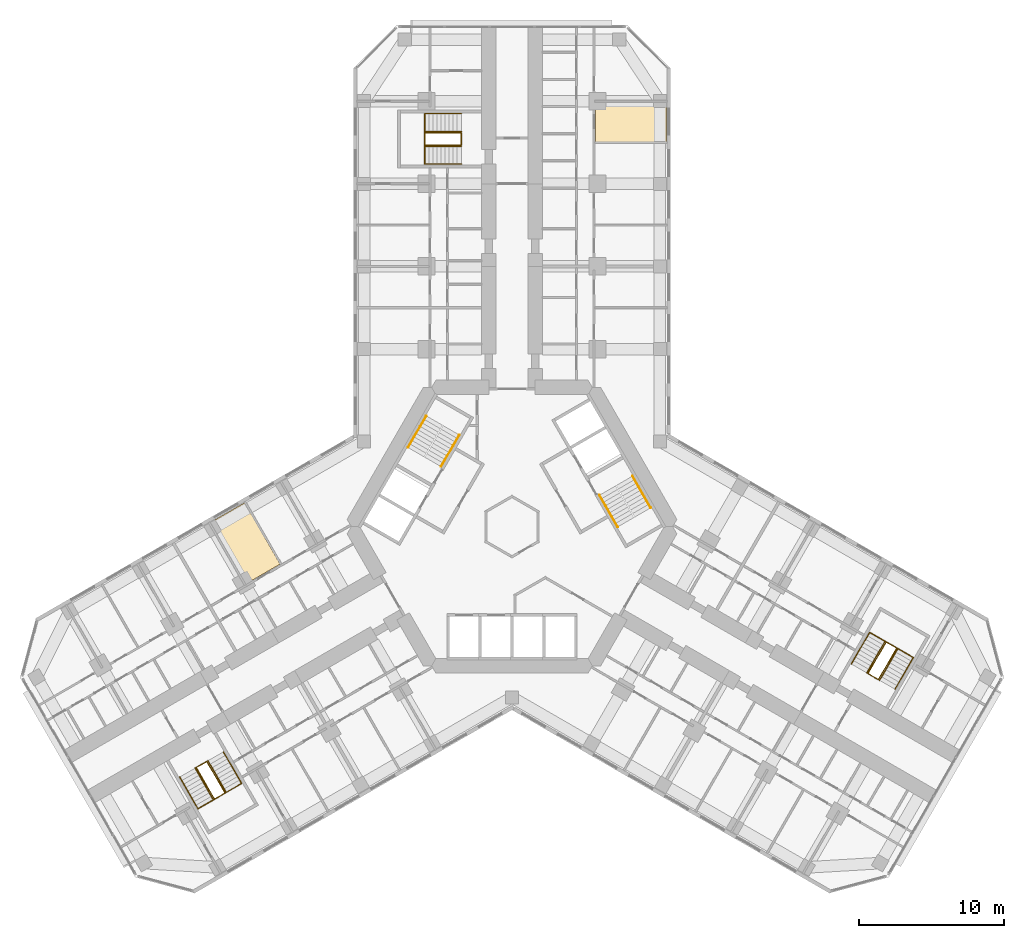
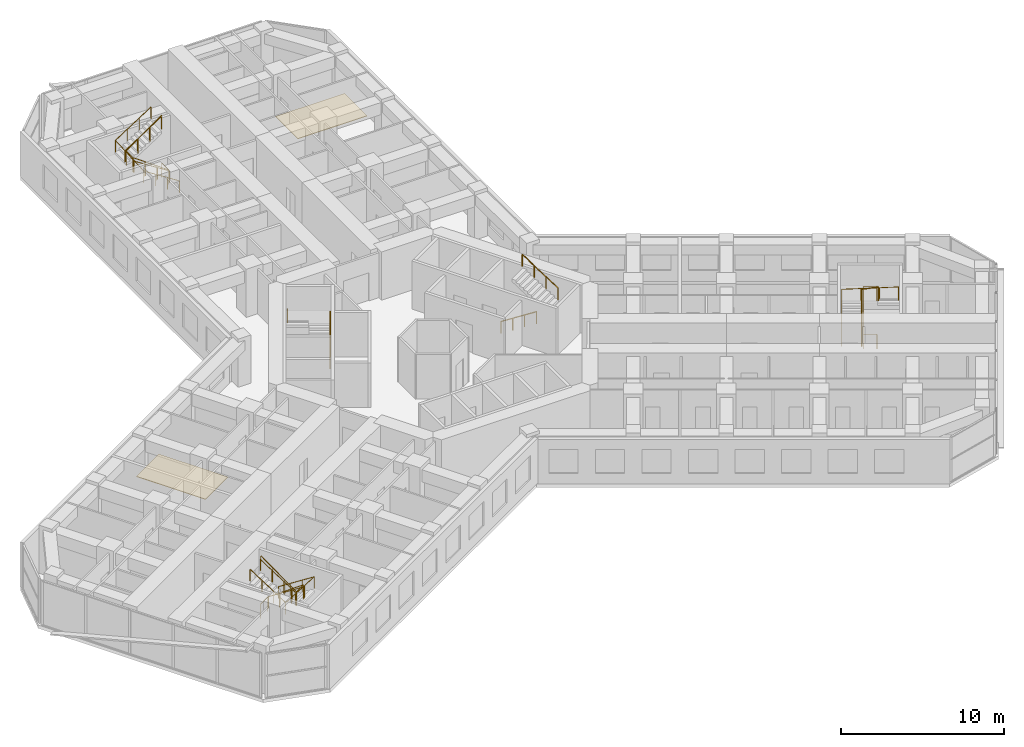
# One storey, part 22 of 22: 13 railings, 2 coverings.
"""IFC4 building model written with IfcOpenShell, lengths in metres."""

from ifc_helpers import new_model, si_unit, direction, frame, origin, origin_2d, place, context, subcontext, project, spatial, polyline, circle, outline, extrude, material, layer, layer_set, type_object, element, save


model = new_model("IFC4")

# Units and contexts
model_context = context("Model", 3, precision=1e-05, world=origin(), true_north=direction((0.0, 1.0)))
body_context = subcontext(model_context, "Body", "Model", "MODEL_VIEW")
ifc_project = project(units=[si_unit("LENGTHUNIT", "METRE"), si_unit("AREAUNIT", "SQUARE_METRE"), si_unit("VOLUMEUNIT", "CUBIC_METRE"), si_unit("PLANEANGLEUNIT", "RADIAN"), si_unit("MASSUNIT", "GRAM", prefix="KILO")], contexts=[model_context])

# Site, building, storey
site_placement = place(None, origin())
site = spatial("IfcSite", under=ifc_project, at=site_placement, CompositionType="ELEMENT")
building_placement = place(site_placement, origin())
building = spatial("IfcBuilding", under=site, at=building_placement, Name="Kosmar Iwan School Tower", CompositionType="ELEMENT")
storey_placement = place(building_placement, frame((0.0, 0.0, 91.60009765625)))
storey = spatial("IfcBuildingStorey", under=building, at=storey_placement, Name="L22", CompositionType="ELEMENT", Elevation=91.60009765625)

# Railings
ifc_material_1 = material(Name="Black steel", Category="steel")
railing_type_1 = type_object("IfcRailingType", Name="Stair handrail 900", PredefinedType="HANDRAIL", material=ifc_material_1)
railing_1_placement = place(storey_placement, frame((-4.89453125, 4.142333984375, 0.179931640625)))
element("IfcRailing", 1, at=railing_1_placement, inside=storey, type_object=railing_type_1, Name="Handrail ST2 flight 1", PredefinedType="HANDRAIL", context=body_context, shape_type="SweptSolid", body=[
    extrude(circle(Radius=0.02392578125, at=origin_2d()), frame((0.0, 0.0, 0.8759765625), z_axis=(0.42060268101, 0.72849590497, 0.54072830624), x_axis=(-0.866022637375, 0.500004791531, 0.0)), (0.0, 0.0, 1.0), 2.99560546875),
    extrude(circle(Radius=0.02099609375, at=origin_2d()), origin(), (0.0, 0.0, 1.0), 0.851806640625),
    extrude(circle(Radius=0.02099609375, at=origin_2d()), frame((0.419921875, 0.7275390625, 0.5400390625)), (0.0, 0.0, 1.0), 0.851806640625),
    extrude(circle(Radius=0.02099609375, at=origin_2d()), frame((0.840087890625, 1.454833984375, 1.079833984375)), (0.0, 0.0, 1.0), 0.851806640625),
    extrude(circle(Radius=0.02099609375, at=origin_2d()), frame((1.260009765625, 2.182373046875, 1.619873046875)), (0.0, 0.0, 1.0), 0.851806640625),
])
railing_2_placement = place(storey_placement, frame((-5.912353515625, 7.6396484375, 1.97998046875)))
element("IfcRailing", 2, at=railing_2_placement, inside=storey, type_object=railing_type_1, Name="Handrail ST2 flight 2", PredefinedType="HANDRAIL", context=body_context, shape_type="SweptSolid", body=[
    extrude(circle(Radius=0.02392578125, at=origin_2d()), frame((0.0, 0.0, 0.8759765625), z_axis=(-0.42060268101, -0.72849590497, 0.54072830624), x_axis=(0.866022637375, -0.500004791531, 0.0)), (0.0, 0.0, 1.0), 2.99560546875),
    extrude(circle(Radius=0.02099609375, at=origin_2d()), origin(), (0.0, 0.0, 1.0), 0.851806640625),
    extrude(circle(Radius=0.02099609375, at=origin_2d()), frame((-0.419921875, -0.7275390625, 0.5400390625)), (0.0, 0.0, 1.0), 0.851806640625),
    extrude(circle(Radius=0.02099609375, at=origin_2d()), frame((-0.840087890625, -1.454833984375, 1.079833984375)), (0.0, 0.0, 1.0), 0.851806640625),
    extrude(circle(Radius=0.02099609375, at=origin_2d()), frame((-1.260009765625, -2.182373046875, 1.619873046875)), (0.0, 0.0, 1.0), 0.851806640625),
])
railing_3_placement = place(storey_placement, frame((6.03466796875, 2.167724609375, 0.179931640625)))
element("IfcRailing", 3, at=railing_3_placement, inside=storey, type_object=railing_type_1, Name="Handrail ST1 flight 1", PredefinedType="HANDRAIL", context=body_context, shape_type="SweptSolid", body=[
    extrude(circle(Radius=0.02392578125, at=origin_2d()), frame((0.0, 0.0, 0.8759765625), z_axis=(0.42060268101, -0.72849590497, 0.54072830624), x_axis=(0.866022637375, 0.500004791531, 0.0)), (0.0, 0.0, 1.0), 2.99560546875),
    extrude(circle(Radius=0.02099609375, at=origin_2d()), origin(), (0.0, 0.0, 1.0), 0.851806640625),
    extrude(circle(Radius=0.02099609375, at=origin_2d()), frame((0.419921875, -0.7275390625, 0.5400390625)), (0.0, 0.0, 1.0), 0.851806640625),
    extrude(circle(Radius=0.02099609375, at=origin_2d()), frame((0.840087890625, -1.454833984375, 1.079833984375)), (0.0, 0.0, 1.0), 0.851806640625),
    extrude(circle(Radius=0.02099609375, at=origin_2d()), frame((1.260009765625, -2.182373046875, 1.619873046875)), (0.0, 0.0, 1.0), 0.851806640625),
])
railing_4_placement = place(storey_placement, frame((9.572265625, 1.30029296875, 1.97998046875)))
element("IfcRailing", 4, at=railing_4_placement, inside=storey, type_object=railing_type_1, Name="Handrail ST1 flight 2", PredefinedType="HANDRAIL", context=body_context, shape_type="SweptSolid", body=[
    extrude(circle(Radius=0.02392578125, at=origin_2d()), frame((0.0, 0.0, 0.8759765625), z_axis=(-0.42060268101, 0.72849590497, 0.54072830624), x_axis=(-0.866022637375, -0.500004791531, 0.0)), (0.0, 0.0, 1.0), 2.99560546875),
    extrude(circle(Radius=0.02099609375, at=origin_2d()), origin(), (0.0, 0.0, 1.0), 0.851806640625),
    extrude(circle(Radius=0.02099609375, at=origin_2d()), frame((-0.419921875, 0.7275390625, 0.5400390625)), (0.0, 0.0, 1.0), 0.851806640625),
    extrude(circle(Radius=0.02099609375, at=origin_2d()), frame((-0.840087890625, 1.454833984375, 1.079833984375)), (0.0, 0.0, 1.0), 0.851806640625),
    extrude(circle(Radius=0.02099609375, at=origin_2d()), frame((-1.260009765625, 2.182373046875, 1.619873046875)), (0.0, 0.0, 1.0), 0.851806640625),
])
railing_5_placement = place(storey_placement, frame((-3.5, 25.010009765625, 0.179931640625)))
element("IfcRailing", 5, at=railing_5_placement, inside=storey, type_object=railing_type_1, Name="Handrail stair WS1 L22 wall side", PredefinedType="HANDRAIL", context=body_context, shape_type="SweptSolid", body=[
    extrude(circle(Radius=0.02392578125, at=origin_2d()), frame((0.0, 0.0, 0.8759765625), z_axis=(-0.841199657755, 0.0, 0.540724639528), x_axis=(0.0, -1.0, 0.0)), (0.0, 0.0, 1.0), 2.995849609375),
    extrude(circle(Radius=0.02392578125, at=origin_2d()), frame((-2.52001953125, 0.0, 2.49560546875), z_axis=(0.0, 0.998662366465, 0.051705684471), x_axis=(-1.0, 0.0, 0.0)), (0.0, 0.0, 1.0), 3.484619140625),
    extrude(circle(Radius=0.02392578125, at=origin_2d()), frame((-2.52001953125, 3.47998046875, 2.67578125), z_axis=(0.841199657755, 0.0, 0.540724639528), x_axis=(0.0, 1.0, 0.0)), (0.0, 0.0, 1.0), 2.995849609375),
    extrude(circle(Radius=0.02099609375, at=origin_2d()), origin(), (0.0, 0.0, 1.0), 0.851806640625),
    extrude(circle(Radius=0.02099609375, at=origin_2d()), frame((-0.840087890625, 0.0, 0.5400390625)), (0.0, 0.0, 1.0), 0.851806640625),
    extrude(circle(Radius=0.02099609375, at=origin_2d()), frame((-1.679931640625, 0.0, 1.079833984375)), (0.0, 0.0, 1.0), 0.851806640625),
    extrude(circle(Radius=0.02099609375, at=origin_2d()), frame((-2.52001953125, 0.0, 1.619873046875)), (0.0, 0.0, 1.0), 0.851806640625),
    extrude(circle(Radius=0.02099609375, at=origin_2d()), frame((-2.52001953125, 1.159912109375, 1.679931640625)), (0.0, 0.0, 1.0), 0.851806640625),
    extrude(circle(Radius=0.02099609375, at=origin_2d()), frame((-2.52001953125, 2.320068359375, 1.739990234375)), (0.0, 0.0, 1.0), 0.851806640625),
    extrude(circle(Radius=0.02099609375, at=origin_2d()), frame((-2.52001953125, 3.47998046875, 1.800048828125)), (0.0, 0.0, 1.0), 0.851806640625),
    extrude(circle(Radius=0.02099609375, at=origin_2d()), frame((-1.679931640625, 3.47998046875, 2.340087890625)), (0.0, 0.0, 1.0), 0.851806640625),
    extrude(circle(Radius=0.02099609375, at=origin_2d()), frame((-0.840087890625, 3.47998046875, 2.8798828125)), (0.0, 0.0, 1.0), 0.851806640625),
    extrude(circle(Radius=0.02099609375, at=origin_2d()), frame((0.0, 3.47998046875, 3.419921875)), (0.0, 0.0, 1.0), 0.851806640625),
])
railing_6_placement = place(storey_placement, frame((-3.5, 26.239990234375, 0.179931640625)))
element("IfcRailing", 6, at=railing_6_placement, inside=storey, type_object=railing_type_1, Name="Handrail stair WS1 L22 well side", PredefinedType="HANDRAIL", context=body_context, shape_type="SweptSolid", body=[
    extrude(circle(Radius=0.02392578125, at=origin_2d()), frame((0.0, 0.0, 0.8759765625), z_axis=(-0.841199657755, 0.0, 0.540724639528), x_axis=(0.0, -1.0, 0.0)), (0.0, 0.0, 1.0), 2.995849609375),
    extrude(circle(Radius=0.02392578125, at=origin_2d()), frame((-2.52001953125, 0.0, 2.49560546875), z_axis=(0.0, 0.98475507176, 0.173946683332), x_axis=(-1.0, 0.0, 0.0)), (0.0, 0.0, 1.0), 1.035888671875),
    extrude(circle(Radius=0.02392578125, at=origin_2d()), frame((-2.52001953125, 1.02001953125, 2.67578125), z_axis=(0.841199657755, 0.0, 0.540724639528), x_axis=(0.0, 1.0, 0.0)), (0.0, 0.0, 1.0), 2.995849609375),
    extrude(circle(Radius=0.02099609375, at=origin_2d()), origin(), (0.0, 0.0, 1.0), 0.851806640625),
    extrude(circle(Radius=0.02099609375, at=origin_2d()), frame((-0.840087890625, 0.0, 0.5400390625)), (0.0, 0.0, 1.0), 0.851806640625),
    extrude(circle(Radius=0.02099609375, at=origin_2d()), frame((-1.679931640625, 0.0, 1.079833984375)), (0.0, 0.0, 1.0), 0.851806640625),
    extrude(circle(Radius=0.02099609375, at=origin_2d()), frame((-2.52001953125, 0.0, 1.619873046875)), (0.0, 0.0, 1.0), 0.851806640625),
    extrude(circle(Radius=0.02099609375, at=origin_2d()), frame((-2.52001953125, 1.02001953125, 1.800048828125)), (0.0, 0.0, 1.0), 0.851806640625),
    extrude(circle(Radius=0.02099609375, at=origin_2d()), frame((-1.679931640625, 1.02001953125, 2.340087890625)), (0.0, 0.0, 1.0), 0.851806640625),
    extrude(circle(Radius=0.02099609375, at=origin_2d()), frame((-0.840087890625, 1.02001953125, 2.8798828125)), (0.0, 0.0, 1.0), 0.851806640625),
    extrude(circle(Radius=0.02099609375, at=origin_2d()), frame((0.0, 1.02001953125, 3.419921875)), (0.0, 0.0, 1.0), 0.851806640625),
])
railing_7_placement = place(storey_placement, frame((-19.9091796875, -15.5361328125, 0.179931640625)))
element("IfcRailing", 7, at=railing_7_placement, inside=storey, type_object=railing_type_1, Name="Handrail stair WS2 L22 wall side", PredefinedType="HANDRAIL", context=body_context, shape_type="SweptSolid", body=[
    extrude(circle(Radius=0.02392578125, at=origin_2d()), frame((0.0, 0.0, 0.8759765625), z_axis=(0.420535598452, -0.728520874915, 0.540746840257), x_axis=(0.866064587494, 0.499932125682, 0.0)), (0.0, 0.0, 1.0), 2.99560546875),
    extrude(circle(Radius=0.02392578125, at=origin_2d()), frame((1.259765625, -2.182373046875, 2.49560546875), z_axis=(-0.864861221286, -0.499341050235, 0.051706706198), x_axis=(0.500009906705, -0.86601968407, 0.0)), (0.0, 0.0, 1.0), 3.484619140625),
    extrude(circle(Radius=0.02392578125, at=origin_2d()), frame((-1.75390625, -3.92236328125, 2.67578125), z_axis=(-0.42060268101, 0.72849590497, 0.54072830624), x_axis=(-0.866022637375, -0.500004791531, 0.0)), (0.0, 0.0, 1.0), 2.99560546875),
    extrude(circle(Radius=0.02099609375, at=origin_2d()), origin(), (0.0, 0.0, 1.0), 0.851806640625),
    extrude(circle(Radius=0.02099609375, at=origin_2d()), frame((0.419921875, -0.7275390625, 0.5400390625)), (0.0, 0.0, 1.0), 0.851806640625),
    extrude(circle(Radius=0.02099609375, at=origin_2d()), frame((0.83984375, -1.454833984375, 1.079833984375)), (0.0, 0.0, 1.0), 0.851806640625),
    extrude(circle(Radius=0.02099609375, at=origin_2d()), frame((1.259765625, -2.182373046875, 1.619873046875)), (0.0, 0.0, 1.0), 0.851806640625),
    extrude(circle(Radius=0.02099609375, at=origin_2d()), frame((0.255126953125, -2.762451171875, 1.679931640625)), (0.0, 0.0, 1.0), 0.851806640625),
    extrude(circle(Radius=0.02099609375, at=origin_2d()), frame((-0.749267578125, -3.34228515625, 1.739990234375)), (0.0, 0.0, 1.0), 0.851806640625),
    extrude(circle(Radius=0.02099609375, at=origin_2d()), frame((-1.75390625, -3.92236328125, 1.800048828125)), (0.0, 0.0, 1.0), 0.851806640625),
    extrude(circle(Radius=0.02099609375, at=origin_2d()), frame((-2.173828125, -3.19482421875, 2.340087890625)), (0.0, 0.0, 1.0), 0.851806640625),
    extrude(circle(Radius=0.02099609375, at=origin_2d()), frame((-2.593994140625, -2.467529296875, 2.8798828125)), (0.0, 0.0, 1.0), 0.851806640625),
    extrude(circle(Radius=0.02099609375, at=origin_2d()), frame((-3.013916015625, -1.739990234375, 3.419921875)), (0.0, 0.0, 1.0), 0.851806640625),
])
railing_8_placement = place(storey_placement, frame((-20.974609375, -16.151123046875, 0.179931640625)))
element("IfcRailing", 8, at=railing_8_placement, inside=storey, type_object=railing_type_1, Name="Handrail stair WS2 L22 well side", PredefinedType="HANDRAIL", context=body_context, shape_type="SweptSolid", body=[
    extrude(circle(Radius=0.02392578125, at=origin_2d()), frame((0.0, 0.0, 0.8759765625), z_axis=(0.42060268101, -0.72849590497, 0.54072830624), x_axis=(0.866022637375, 0.500004791531, 0.0)), (0.0, 0.0, 1.0), 2.99560546875),
    extrude(circle(Radius=0.02392578125, at=origin_2d()), frame((1.260009765625, -2.182373046875, 2.49560546875), z_axis=(-0.852806573049, -0.492402689635, 0.173955569627), x_axis=(0.500026340207, -0.866010195725, 0.0)), (0.0, 0.0, 1.0), 1.03564453125),
    extrude(circle(Radius=0.02392578125, at=origin_2d()), frame((0.376708984375, -2.6923828125, 2.67578125), z_axis=(-0.42060268101, 0.72849590497, 0.54072830624), x_axis=(-0.866022637375, -0.500004791531, 0.0)), (0.0, 0.0, 1.0), 2.99560546875),
    extrude(circle(Radius=0.02099609375, at=origin_2d()), origin(), (0.0, 0.0, 1.0), 0.851806640625),
    extrude(circle(Radius=0.02099609375, at=origin_2d()), frame((0.419921875, -0.7275390625, 0.5400390625)), (0.0, 0.0, 1.0), 0.851806640625),
    extrude(circle(Radius=0.02099609375, at=origin_2d()), frame((0.840087890625, -1.454833984375, 1.079833984375)), (0.0, 0.0, 1.0), 0.851806640625),
    extrude(circle(Radius=0.02099609375, at=origin_2d()), frame((1.260009765625, -2.182373046875, 1.619873046875)), (0.0, 0.0, 1.0), 0.851806640625),
    extrude(circle(Radius=0.02099609375, at=origin_2d()), frame((0.376708984375, -2.6923828125, 1.800048828125)), (0.0, 0.0, 1.0), 0.851806640625),
    extrude(circle(Radius=0.02099609375, at=origin_2d()), frame((-0.043212890625, -1.96484375, 2.340087890625)), (0.0, 0.0, 1.0), 0.851806640625),
    extrude(circle(Radius=0.02099609375, at=origin_2d()), frame((-0.46337890625, -1.237548828125, 2.8798828125)), (0.0, 0.0, 1.0), 0.851806640625),
    extrude(circle(Radius=0.02099609375, at=origin_2d()), frame((-0.88330078125, -0.510009765625, 3.419921875)), (0.0, 0.0, 1.0), 0.851806640625),
])
railing_9_placement = place(storey_placement, frame((23.4091796875, -9.473876953125, 0.179931640625)))
element("IfcRailing", 9, at=railing_9_placement, inside=storey, type_object=railing_type_1, Name="Handrail stair WS3 L22 wall side", PredefinedType="HANDRAIL", context=body_context, shape_type="SweptSolid", body=[
    extrude(circle(Radius=0.02392578125, at=origin_2d()), frame((0.0, 0.0, 0.8759765625), z_axis=(0.42060268101, 0.72849590497, 0.54072830624), x_axis=(-0.866022637375, 0.500004791531, 0.0)), (0.0, 0.0, 1.0), 2.99560546875),
    extrude(circle(Radius=0.02392578125, at=origin_2d()), frame((1.260009765625, 2.182373046875, 2.49560546875), z_axis=(0.864878876685, -0.499310794179, 0.051703573187), x_axis=(0.499979528911, 0.866037222451, 0.0)), (0.0, 0.0, 1.0), 3.48486328125),
    extrude(circle(Radius=0.02392578125, at=origin_2d()), frame((4.27392578125, 0.4423828125, 2.67578125), z_axis=(-0.42060268101, -0.72849590497, 0.54072830624), x_axis=(0.866022637375, -0.500004791531, 0.0)), (0.0, 0.0, 1.0), 2.99560546875),
    extrude(circle(Radius=0.02099609375, at=origin_2d()), origin(), (0.0, 0.0, 1.0), 0.851806640625),
    extrude(circle(Radius=0.02099609375, at=origin_2d()), frame((0.419921875, 0.7275390625, 0.5400390625)), (0.0, 0.0, 1.0), 0.851806640625),
    extrude(circle(Radius=0.02099609375, at=origin_2d()), frame((0.840087890625, 1.454833984375, 1.079833984375)), (0.0, 0.0, 1.0), 0.851806640625),
    extrude(circle(Radius=0.02099609375, at=origin_2d()), frame((1.260009765625, 2.182373046875, 1.619873046875)), (0.0, 0.0, 1.0), 0.851806640625),
    extrude(circle(Radius=0.02099609375, at=origin_2d()), frame((2.2646484375, 1.602294921875, 1.679931640625)), (0.0, 0.0, 1.0), 0.851806640625),
    extrude(circle(Radius=0.02099609375, at=origin_2d()), frame((3.269287109375, 1.0224609375, 1.739990234375)), (0.0, 0.0, 1.0), 0.851806640625),
    extrude(circle(Radius=0.02099609375, at=origin_2d()), frame((4.27392578125, 0.4423828125, 1.800048828125)), (0.0, 0.0, 1.0), 0.851806640625),
    extrude(circle(Radius=0.02099609375, at=origin_2d()), frame((3.85400390625, -0.28515625, 2.340087890625)), (0.0, 0.0, 1.0), 0.851806640625),
    extrude(circle(Radius=0.02099609375, at=origin_2d()), frame((3.433837890625, -1.012451171875, 2.8798828125)), (0.0, 0.0, 1.0), 0.851806640625),
    extrude(circle(Radius=0.02099609375, at=origin_2d()), frame((3.013916015625, -1.739990234375, 3.419921875)), (0.0, 0.0, 1.0), 0.851806640625),
])
railing_10_placement = place(storey_placement, frame((24.474609375, -10.0888671875, 0.179931640625)))
element("IfcRailing", 10, at=railing_10_placement, inside=storey, type_object=railing_type_1, Name="Handrail stair WS3 L22 well side", PredefinedType="HANDRAIL", context=body_context, shape_type="SweptSolid", body=[
    extrude(circle(Radius=0.02392578125, at=origin_2d()), frame((0.0, 0.0, 0.8759765625), z_axis=(0.42060268101, 0.72849590497, 0.54072830624), x_axis=(-0.866022637375, 0.500004791531, 0.0)), (0.0, 0.0, 1.0), 2.99560546875),
    extrude(circle(Radius=0.02392578125, at=origin_2d()), frame((1.260009765625, 2.182373046875, 2.49560546875), z_axis=(0.852806573049, -0.492402689635, 0.173955569627), x_axis=(0.500026340207, 0.866010195725, 0.0)), (0.0, 0.0, 1.0), 1.03564453125),
    extrude(circle(Radius=0.02392578125, at=origin_2d()), frame((2.143310546875, 1.67236328125, 2.67578125), z_axis=(-0.42060268101, -0.72849590497, 0.54072830624), x_axis=(0.866022637375, -0.500004791531, 0.0)), (0.0, 0.0, 1.0), 2.99560546875),
    extrude(circle(Radius=0.02099609375, at=origin_2d()), origin(), (0.0, 0.0, 1.0), 0.851806640625),
    extrude(circle(Radius=0.02099609375, at=origin_2d()), frame((0.419921875, 0.7275390625, 0.5400390625)), (0.0, 0.0, 1.0), 0.851806640625),
    extrude(circle(Radius=0.02099609375, at=origin_2d()), frame((0.840087890625, 1.454833984375, 1.079833984375)), (0.0, 0.0, 1.0), 0.851806640625),
    extrude(circle(Radius=0.02099609375, at=origin_2d()), frame((1.260009765625, 2.182373046875, 1.619873046875)), (0.0, 0.0, 1.0), 0.851806640625),
    extrude(circle(Radius=0.02099609375, at=origin_2d()), frame((2.143310546875, 1.67236328125, 1.800048828125)), (0.0, 0.0, 1.0), 0.851806640625),
    extrude(circle(Radius=0.02099609375, at=origin_2d()), frame((1.723388671875, 0.94482421875, 2.340087890625)), (0.0, 0.0, 1.0), 0.851806640625),
    extrude(circle(Radius=0.02099609375, at=origin_2d()), frame((1.30322265625, 0.217529296875, 2.8798828125)), (0.0, 0.0, 1.0), 0.851806640625),
    extrude(circle(Radius=0.02099609375, at=origin_2d()), frame((0.88330078125, -0.510009765625, 3.419921875)), (0.0, 0.0, 1.0), 0.851806640625),
])
ifc_material_2 = material(Name="Black steel", Category="steel")
railing_type_2 = type_object("IfcRailingType", Name="Stair well guard 1100", PredefinedType="GUARDRAIL", material=ifc_material_2)
railing_11_placement = place(storey_placement, frame((-3.5, 27.169921875, 0.0)))
element("IfcRailing", 11, at=railing_11_placement, inside=storey, type_object=railing_type_2, Name="Stair WS1 L22 well guard", PredefinedType="GUARDRAIL", context=body_context, shape_type="SweptSolid", body=[
    extrude(circle(Radius=0.02392578125, at=origin_2d()), frame((0.0, 0.0, 1.076171875), z_axis=(0.0, -1.0, 0.0), x_axis=(1.0, 0.0, 0.0)), (0.0, 0.0, 1.0), 0.83984375),
    extrude(circle(Radius=0.02392578125, at=origin_2d()), frame((0.0, -0.83984375, 1.076171875), z_axis=(-0.813765431312, 0.0, 0.581193446971), x_axis=(0.0, -1.0, 0.0)), (0.0, 0.0, 1.0), 3.0966796875),
    extrude(circle(Radius=0.02392578125, at=origin_2d()), frame((-2.52001953125, -0.83984375, 2.8759765625), z_axis=(0.0, 1.0, 0.0), x_axis=(-1.0, 0.0, 0.0)), (0.0, 0.0, 1.0), 0.83984375),
    extrude(circle(Radius=0.02392578125, at=origin_2d()), frame((-2.52001953125, 0.0, 2.8759765625), z_axis=(0.813728144527, 0.0, 0.581245650998), x_axis=(0.0, 1.0, 0.0)), (0.0, 0.0, 1.0), 3.096923828125),
    extrude(circle(Radius=0.02099609375, at=origin_2d()), origin(), (0.0, 0.0, 1.0), 1.052001953125),
    extrude(circle(Radius=0.02099609375, at=origin_2d()), frame((0.0, -0.83984375, 0.0)), (0.0, 0.0, 1.0), 1.052001953125),
    extrude(circle(Radius=0.02099609375, at=origin_2d()), frame((-0.840087890625, -0.83984375, 0.599853515625)), (0.0, 0.0, 1.0), 1.052001953125),
    extrude(circle(Radius=0.02099609375, at=origin_2d()), frame((-1.679931640625, -0.83984375, 1.199951171875)), (0.0, 0.0, 1.0), 1.052001953125),
    extrude(circle(Radius=0.02099609375, at=origin_2d()), frame((-2.52001953125, -0.83984375, 1.7998046875)), (0.0, 0.0, 1.0), 1.052001953125),
    extrude(circle(Radius=0.02099609375, at=origin_2d()), frame((-2.52001953125, 0.0, 1.7998046875)), (0.0, 0.0, 1.0), 1.052001953125),
    extrude(circle(Radius=0.02099609375, at=origin_2d()), frame((-1.679931640625, 0.0, 2.39990234375)), (0.0, 0.0, 1.0), 1.052001953125),
    extrude(circle(Radius=0.02099609375, at=origin_2d()), frame((-0.840087890625, 0.0, 2.999755859375)), (0.0, 0.0, 1.0), 1.052001953125),
    extrude(circle(Radius=0.02099609375, at=origin_2d()), frame((0.0, 0.0, 3.599853515625)), (0.0, 0.0, 1.0), 1.052001953125),
])
railing_12_placement = place(storey_placement, frame((-21.780029296875, -16.6162109375, 0.0)))
element("IfcRailing", 12, at=railing_12_placement, inside=storey, type_object=railing_type_2, Name="Stair WS2 L22 well guard", PredefinedType="GUARDRAIL", context=body_context, shape_type="SweptSolid", body=[
    extrude(circle(Radius=0.02392578125, at=origin_2d()), frame((0.0, 0.0, 1.076171875), z_axis=(0.865962960534, 0.500108139288, 0.0), x_axis=(-0.500108139288, 0.865962960534, 0.0)), (0.0, 0.0, 1.0), 0.840087890625),
    extrude(circle(Radius=0.02392578125, at=origin_2d()), frame((0.7275390625, 0.420166015625, 1.076171875), z_axis=(0.406885297737, -0.704737003773, 0.581197135229), x_axis=(0.866022637375, 0.500004791531, 0.0)), (0.0, 0.0, 1.0), 3.0966796875),
    extrude(circle(Radius=0.02392578125, at=origin_2d()), frame((1.987548828125, -1.76220703125, 2.8759765625), z_axis=(-0.865962960534, -0.500108139288, 0.0), x_axis=(0.500108139288, -0.865962960534, 0.0)), (0.0, 0.0, 1.0), 0.840087890625),
    extrude(circle(Radius=0.02392578125, at=origin_2d()), frame((1.260009765625, -2.182373046875, 2.8759765625), z_axis=(-0.40686665399, 0.704704712268, 0.58124933925), x_axis=(-0.866022637375, -0.500004791531, 0.0)), (0.0, 0.0, 1.0), 3.096923828125),
    extrude(circle(Radius=0.02099609375, at=origin_2d()), origin(), (0.0, 0.0, 1.0), 1.052001953125),
    extrude(circle(Radius=0.02099609375, at=origin_2d()), frame((0.7275390625, 0.420166015625, 0.0)), (0.0, 0.0, 1.0), 1.052001953125),
    extrude(circle(Radius=0.02099609375, at=origin_2d()), frame((1.1474609375, -0.307373046875, 0.599853515625)), (0.0, 0.0, 1.0), 1.052001953125),
    extrude(circle(Radius=0.02099609375, at=origin_2d()), frame((1.567626953125, -1.03466796875, 1.199951171875)), (0.0, 0.0, 1.0), 1.052001953125),
    extrude(circle(Radius=0.02099609375, at=origin_2d()), frame((1.987548828125, -1.76220703125, 1.7998046875)), (0.0, 0.0, 1.0), 1.052001953125),
    extrude(circle(Radius=0.02099609375, at=origin_2d()), frame((1.260009765625, -2.182373046875, 1.7998046875)), (0.0, 0.0, 1.0), 1.052001953125),
    extrude(circle(Radius=0.02099609375, at=origin_2d()), frame((0.840087890625, -1.454833984375, 2.39990234375)), (0.0, 0.0, 1.0), 1.052001953125),
    extrude(circle(Radius=0.02099609375, at=origin_2d()), frame((0.419921875, -0.7275390625, 2.999755859375)), (0.0, 0.0, 1.0), 1.052001953125),
    extrude(circle(Radius=0.02099609375, at=origin_2d()), frame((0.0, 0.0, 3.599853515625)), (0.0, 0.0, 1.0), 1.052001953125),
])
railing_13_placement = place(storey_placement, frame((25.280029296875, -10.553955078125, 0.0)))
element("IfcRailing", 13, at=railing_13_placement, inside=storey, type_object=railing_type_2, Name="Stair WS3 L22 well guard", PredefinedType="GUARDRAIL", context=body_context, shape_type="SweptSolid", body=[
    extrude(circle(Radius=0.02392578125, at=origin_2d()), frame((0.0, 0.0, 1.076171875), z_axis=(-0.865962960534, 0.500108139288, 0.0), x_axis=(-0.500108139288, -0.865962960534, 0.0)), (0.0, 0.0, 1.0), 0.840087890625),
    extrude(circle(Radius=0.02392578125, at=origin_2d()), frame((-0.7275390625, 0.420166015625, 1.076171875), z_axis=(0.406885297737, 0.704737003773, 0.581197135229), x_axis=(-0.866022637375, 0.500004791531, 0.0)), (0.0, 0.0, 1.0), 3.0966796875),
    extrude(circle(Radius=0.02392578125, at=origin_2d()), frame((0.532470703125, 2.6025390625, 2.8759765625), z_axis=(0.865890253765, -0.500234013672, 0.0), x_axis=(0.500234013672, 0.865890253765, 0.0)), (0.0, 0.0, 1.0), 0.83984375),
    extrude(circle(Radius=0.02392578125, at=origin_2d()), frame((1.259765625, 2.182373046875, 2.8759765625), z_axis=(-0.406800866334, -0.70472731476, 0.58126798207), x_axis=(0.866064587494, -0.499932125682, 0.0)), (0.0, 0.0, 1.0), 3.0966796875),
    extrude(circle(Radius=0.02099609375, at=origin_2d()), origin(), (0.0, 0.0, 1.0), 1.052001953125),
    extrude(circle(Radius=0.02099609375, at=origin_2d()), frame((-0.7275390625, 0.420166015625, 0.0)), (0.0, 0.0, 1.0), 1.052001953125),
    extrude(circle(Radius=0.02099609375, at=origin_2d()), frame((-0.3076171875, 1.147705078125, 0.599853515625)), (0.0, 0.0, 1.0), 1.052001953125),
    extrude(circle(Radius=0.02099609375, at=origin_2d()), frame((0.112548828125, 1.875, 1.199951171875)), (0.0, 0.0, 1.0), 1.052001953125),
    extrude(circle(Radius=0.02099609375, at=origin_2d()), frame((0.532470703125, 2.6025390625, 1.7998046875)), (0.0, 0.0, 1.0), 1.052001953125),
    extrude(circle(Radius=0.02099609375, at=origin_2d()), frame((1.259765625, 2.182373046875, 1.7998046875)), (0.0, 0.0, 1.0), 1.052001953125),
    extrude(circle(Radius=0.02099609375, at=origin_2d()), frame((0.83984375, 1.454833984375, 2.39990234375)), (0.0, 0.0, 1.0), 1.052001953125),
    extrude(circle(Radius=0.02099609375, at=origin_2d()), frame((0.419921875, 0.7275390625, 2.999755859375)), (0.0, 0.0, 1.0), 1.052001953125),
    extrude(circle(Radius=0.02099609375, at=origin_2d()), frame((0.0, 0.0, 3.599853515625)), (0.0, 0.0, 1.0), 1.052001953125),
])

# Coverings
ifc_material_3 = material(Name="Honed limestone on mortar bed", Category="masonry")
ifc_layer = layer(ifc_material_3, 0.0400390625)
ifc_layer_set = layer_set([ifc_layer], Name="Winter garden stone flooring 40")
covering_type = type_object("IfcCoveringType", Name="Winter garden stone flooring 40", PredefinedType="FLOORING", material=ifc_layer_set)
covering_1_placement = place(storey_placement, origin())
element("IfcCovering", 14, at=covering_1_placement, inside=storey, type_object=covering_type, Name="Winter garden flooring L22-AR2-F3", PredefinedType="FLOORING", context=body_context, shape_type="SweptSolid", body=[
    extrude(outline(polyline([(5.760009765625, 26.550048828125), (10.64990234375, 26.550048828125), (10.64990234375, 29.300048828125), (5.760009765625, 29.300048828125), (5.760009765625, 26.550048828125)])), origin(), (0.0, 0.0, 1.0), 0.039794921875),
])
covering_2_placement = place(storey_placement, origin())
element("IfcCovering", 15, at=covering_2_placement, inside=storey, type_object=covering_type, Name="Winter garden flooring L22-BR1-F3", PredefinedType="FLOORING", context=body_context, shape_type="SweptSolid", body=[
    extrude(outline(polyline([(-18.3818359375, -3.961669921875), (-16.000244140625, -2.586669921875), (-18.4453125, 1.648193359375), (-20.826904296875, 0.273193359375), (-18.3818359375, -3.961669921875)])), origin(), (0.0, 0.0, 1.0), 0.039794921875),
])

save(model, "model.ifc")
